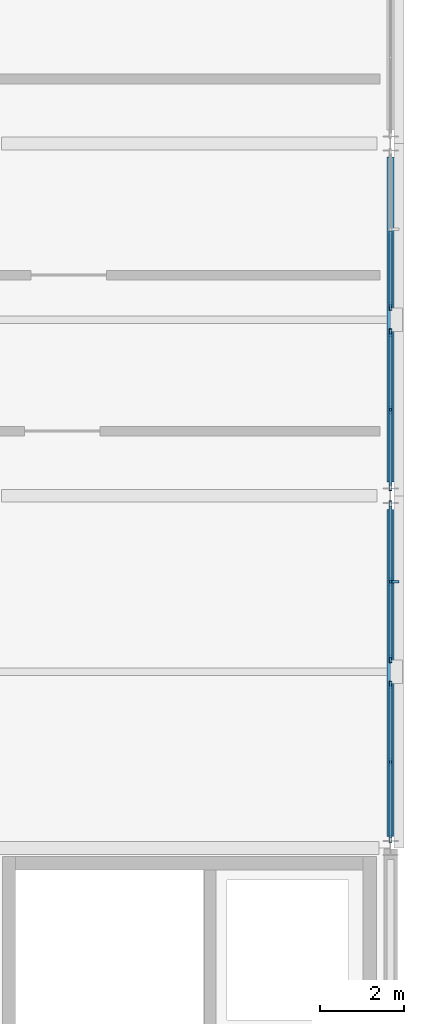
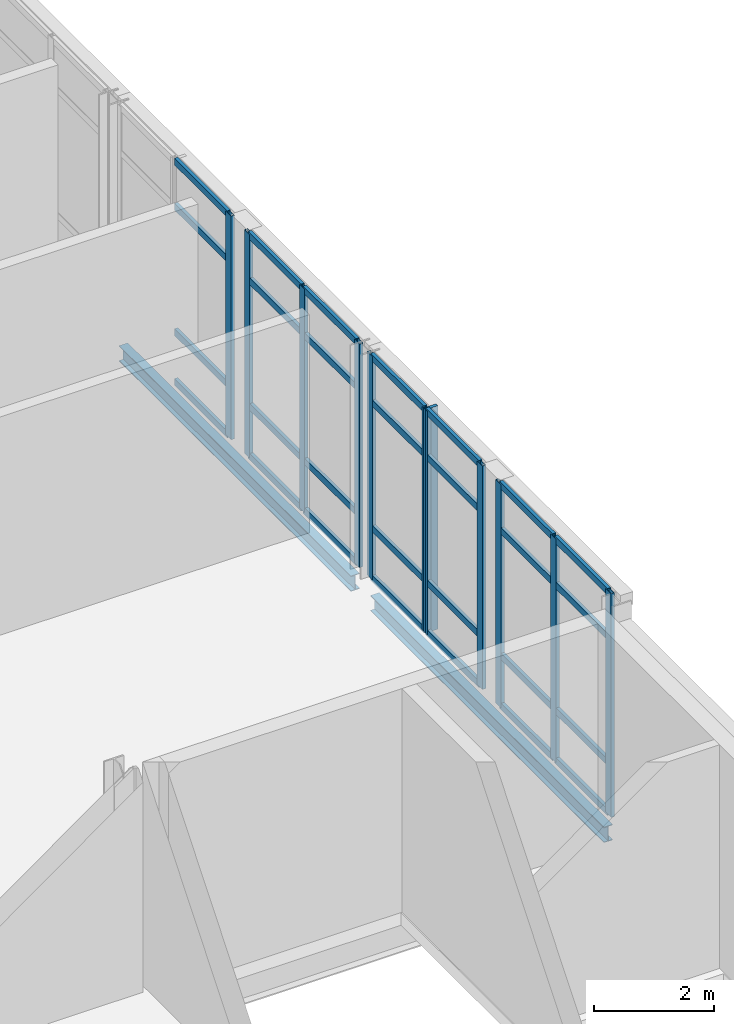
# One storey, part 26 of 52: 39 members, 2 beams, 4 elements without a shape of their own.
"""IFC4 building model written with IfcOpenShell, lengths in metres."""

from ifc_helpers import new_model, si_unit, direction, frame, origin, origin_2d, place, context, subcontext, project, spatial, rectangle, hollow_rectangle, i_section, extrude, material, layer, layer_set, material_profile, profile_set, type_object, element, aggregate, save


model = new_model("IFC4")

# Units and contexts
model_context = context("Model", 3, precision=1e-05, world=origin(), true_north=direction((0.0, 1.0)))
body_context = subcontext(model_context, "Body", "Model", "MODEL_VIEW")
ifc_project = project(units=[si_unit("LENGTHUNIT", "METRE"), si_unit("AREAUNIT", "SQUARE_METRE"), si_unit("VOLUMEUNIT", "CUBIC_METRE"), si_unit("PLANEANGLEUNIT", "RADIAN"), si_unit("MASSUNIT", "GRAM", prefix="KILO")], contexts=[model_context])

# Site, building, storey
site_placement = place(None, origin())
site = spatial("IfcSite", under=ifc_project, at=site_placement, CompositionType="ELEMENT")
building_placement = place(site_placement, origin())
building = spatial("IfcBuilding", under=site, at=building_placement, Name="Lornevale Opera House", CompositionType="ELEMENT")
storey_placement = place(building_placement, frame((0.0, 0.0, 15.0)))
storey = spatial("IfcBuildingStorey", under=building, at=storey_placement, Name="L04", CompositionType="ELEMENT", Elevation=15.0)

# Curtain wall, members
ifc_material_1 = material(Name="Anodized Oxide-Green Aluminium Framing", Category="aluminium")
ifc_layer = layer(ifc_material_1, 0.179931640625)
ifc_layer_set = layer_set([ifc_layer], Name="Anodized Oxide-Green Aluminium Framing")
curtain_wall_type = type_object("IfcCurtainWallType", Name="Promenade Gallery Curtain Wall M1800", PredefinedType="NOTDEFINED", material=ifc_layer_set)
curtain_wall_1_placement = place(storey_placement, origin())
curtain_wall_1 = element("IfcCurtainWall", 1, at=curtain_wall_1_placement, inside=storey, type_object=curtain_wall_type, Name="Promenade Gallery Curtain Wall M1800 CW-165", PredefinedType="NOTDEFINED")
ifc_material_profile_1 = material_profile(ifc_material_1, hollow_rectangle(XDim=0.06494140625, YDim=0.179931640625, WallThickness=0.0048828125, at=origin_2d()), Name="ALU65x180x5")
ifc_profile_set_1 = profile_set([ifc_material_profile_1], Name="Anodized Oxide-Green Aluminium Framing")
member_type_1 = type_object("IfcMemberType", Name="Curtain Wall Mullion 65x180", PredefinedType="MULLION", material=ifc_profile_set_1)
member_1_placement = place(storey_placement, frame((144.0, 50.1875, 0.0), z_axis=(0.0, 0.0, 1.0), x_axis=(1.0, 0.0, 0.0)))
member_1 = element("IfcMember", 2, at=member_1_placement, type_object=member_type_1, Name="Curtain Wall Mullion 65x180 CW3357", PredefinedType="MULLION", context=body_context, shape_type="SweptSolid", body=[
    extrude(hollow_rectangle(XDim=0.06494140625, YDim=0.179931640625, WallThickness=0.0048828125, at=origin_2d()), origin(), (0.0, 0.0, 1.0), 4.56005859375),
])
member_2_placement = place(storey_placement, frame((144.0, 48.35009765625, 0.0), z_axis=(0.0, 0.0, 1.0), x_axis=(1.0, 0.0, 0.0)))
member_2 = element("IfcMember", 3, at=member_2_placement, type_object=member_type_1, Name="Curtain Wall Mullion 65x180 CW3358", PredefinedType="MULLION", context=body_context, shape_type="SweptSolid", body=[
    extrude(hollow_rectangle(XDim=0.06494140625, YDim=0.179931640625, WallThickness=0.0048828125, at=origin_2d()), origin(), (0.0, 0.0, 1.0), 4.56005859375),
])
member_3_placement = place(storey_placement, frame((144.0, 46.512451171875, 0.0), z_axis=(0.0, 0.0, 1.0), x_axis=(1.0, 0.0, 0.0)))
member_3 = element("IfcMember", 4, at=member_3_placement, type_object=member_type_1, Name="Curtain Wall Mullion 65x180 CW3359", PredefinedType="MULLION", context=body_context, shape_type="SweptSolid", body=[
    extrude(hollow_rectangle(XDim=0.06494140625, YDim=0.179931640625, WallThickness=0.0048828125, at=origin_2d()), origin(), (0.0, 0.0, 1.0), 4.56005859375),
])

curtain_wall_2_placement = place(storey_placement, origin())
curtain_wall_2 = element("IfcCurtainWall", 5, at=curtain_wall_2_placement, inside=storey, type_object=curtain_wall_type, Name="Promenade Gallery Curtain Wall M1800 CW-166", PredefinedType="NOTDEFINED")
member_4_placement = place(storey_placement, frame((144.0, 45.887451171875, 0.0), z_axis=(0.0, 0.0, 1.0), x_axis=(1.0, 0.0, 0.0)))
member_4 = element("IfcMember", 6, at=member_4_placement, type_object=member_type_1, Name="Curtain Wall Mullion 65x180 CW3374", PredefinedType="MULLION", context=body_context, shape_type="SweptSolid", body=[
    extrude(hollow_rectangle(XDim=0.06494140625, YDim=0.179931640625, WallThickness=0.0048828125, at=origin_2d()), origin(), (0.0, 0.0, 1.0), 4.56005859375),
])
member_5_placement = place(storey_placement, frame((144.0, 44.050048828125, 0.0), z_axis=(0.0, 0.0, 1.0), x_axis=(1.0, 0.0, 0.0)))
member_5 = element("IfcMember", 7, at=member_5_placement, type_object=member_type_1, Name="Curtain Wall Mullion 65x180 CW3375", PredefinedType="MULLION", context=body_context, shape_type="SweptSolid", body=[
    extrude(hollow_rectangle(XDim=0.06494140625, YDim=0.179931640625, WallThickness=0.0048828125, at=origin_2d()), origin(), (0.0, 0.0, 1.0), 4.56005859375),
])
member_6_placement = place(storey_placement, frame((144.0, 42.21240234375, 0.0), z_axis=(0.0, 0.0, 1.0), x_axis=(1.0, 0.0, 0.0)))
member_6 = element("IfcMember", 8, at=member_6_placement, type_object=member_type_1, Name="Curtain Wall Mullion 65x180 CW3376", PredefinedType="MULLION", context=body_context, shape_type="SweptSolid", body=[
    extrude(hollow_rectangle(XDim=0.06494140625, YDim=0.179931640625, WallThickness=0.0048828125, at=origin_2d()), origin(), (0.0, 0.0, 1.0), 4.56005859375),
])

# Curtain wall, member
curtain_wall_3_placement = place(storey_placement, origin())
curtain_wall_3 = element("IfcCurtainWall", 9, at=curtain_wall_3_placement, inside=storey, type_object=curtain_wall_type, Name="Promenade Gallery Curtain Wall M1800 CW-167", PredefinedType="NOTDEFINED")
member_7_placement = place(storey_placement, frame((144.0, 54.91259765625, 0.0), z_axis=(0.0, 0.0, 1.0), x_axis=(1.0, 0.0, 0.0)))
member_7 = element("IfcMember", 10, at=member_7_placement, type_object=member_type_1, Name="Curtain Wall Mullion 65x180 CW3393", PredefinedType="MULLION", context=body_context, shape_type="SweptSolid", body=[
    extrude(hollow_rectangle(XDim=0.06494140625, YDim=0.179931640625, WallThickness=0.0048828125, at=origin_2d()), origin(), (0.0, 0.0, 1.0), 4.56005859375),
])

# Curtain wall, members
curtain_wall_4_placement = place(storey_placement, origin())
curtain_wall_4 = element("IfcCurtainWall", 11, at=curtain_wall_4_placement, inside=storey, type_object=curtain_wall_type, Name="Promenade Gallery Curtain Wall M1800 CW-168", PredefinedType="NOTDEFINED")
member_8_placement = place(storey_placement, frame((144.0, 54.28759765625, 0.0), z_axis=(0.0, 0.0, 1.0), x_axis=(1.0, 0.0, 0.0)))
member_8 = element("IfcMember", 12, at=member_8_placement, type_object=member_type_1, Name="Curtain Wall Mullion 65x180 CW3408", PredefinedType="MULLION", context=body_context, shape_type="SweptSolid", body=[
    extrude(hollow_rectangle(XDim=0.06494140625, YDim=0.179931640625, WallThickness=0.0048828125, at=origin_2d()), origin(), (0.0, 0.0, 1.0), 4.56005859375),
])
member_9_placement = place(storey_placement, frame((144.0, 52.449951171875, 0.0), z_axis=(0.0, 0.0, 1.0), x_axis=(1.0, 0.0, 0.0)))
member_9 = element("IfcMember", 13, at=member_9_placement, type_object=member_type_1, Name="Curtain Wall Mullion 65x180 CW3409", PredefinedType="MULLION", context=body_context, shape_type="SweptSolid", body=[
    extrude(hollow_rectangle(XDim=0.06494140625, YDim=0.179931640625, WallThickness=0.0048828125, at=origin_2d()), origin(), (0.0, 0.0, 1.0), 4.56005859375),
])
member_10_placement = place(storey_placement, frame((144.0, 50.612548828125, 0.0), z_axis=(0.0, 0.0, 1.0), x_axis=(1.0, 0.0, 0.0)))
member_10 = element("IfcMember", 14, at=member_10_placement, type_object=member_type_1, Name="Curtain Wall Mullion 65x180 CW3410", PredefinedType="MULLION", context=body_context, shape_type="SweptSolid", body=[
    extrude(hollow_rectangle(XDim=0.06494140625, YDim=0.179931640625, WallThickness=0.0048828125, at=origin_2d()), origin(), (0.0, 0.0, 1.0), 4.56005859375),
])

# Member
ifc_material_profile_2 = material_profile(ifc_material_1, hollow_rectangle(XDim=0.06494140625, YDim=0.135009765625, WallThickness=0.00390625, at=origin_2d()), Name="ALU65x135x4")
ifc_profile_set_2 = profile_set([ifc_material_profile_2], Name="Anodized Oxide-Green Aluminium Framing")
member_type_2 = type_object("IfcMemberType", Name="Curtain Wall Transom 65x135", PredefinedType="USERDEFINED", material=ifc_profile_set_2)
member_11_placement = place(storey_placement, frame((144.0, 50.155029296875, 0.032470703125), z_axis=(0.0, -1.0, 0.0), x_axis=(1.0, 0.0, 0.0)))
member_11 = element("IfcMember", 15, at=member_11_placement, type_object=member_type_2, Name="Curtain Wall Transom 65x135 CW3360", ObjectType="TRANSOM", PredefinedType="USERDEFINED", context=body_context, shape_type="SweptSolid", body=[
    extrude(hollow_rectangle(XDim=0.06494140625, YDim=0.135009765625, WallThickness=0.00390625, at=origin_2d()), origin(), (0.0, 0.0, 1.0), 1.7724609375),
])

member_12_placement = place(storey_placement, frame((144.0, 50.155029296875, 1.050048828125), z_axis=(0.0, -1.0, 0.0), x_axis=(1.0, 0.0, 0.0)))
member_12 = element("IfcMember", 16, at=member_12_placement, type_object=member_type_2, Name="Curtain Wall Transom 65x135 CW3361", ObjectType="TRANSOM", PredefinedType="USERDEFINED", context=body_context, shape_type="SweptSolid", body=[
    extrude(hollow_rectangle(XDim=0.06494140625, YDim=0.135009765625, WallThickness=0.00390625, at=origin_2d()), origin(), (0.0, 0.0, 1.0), 1.7724609375),
])

member_13_placement = place(storey_placement, frame((144.0, 50.155029296875, 3.610107421875), z_axis=(0.0, -1.0, 0.0), x_axis=(1.0, 0.0, 0.0)))
member_13 = element("IfcMember", 17, at=member_13_placement, type_object=member_type_2, Name="Curtain Wall Transom 65x135 CW3362", ObjectType="TRANSOM", PredefinedType="USERDEFINED", context=body_context, shape_type="SweptSolid", body=[
    extrude(hollow_rectangle(XDim=0.06494140625, YDim=0.135009765625, WallThickness=0.00390625, at=origin_2d()), origin(), (0.0, 0.0, 1.0), 1.7724609375),
])

member_14_placement = place(storey_placement, frame((144.0, 50.155029296875, 4.527587890625), z_axis=(0.0, -1.0, 0.0), x_axis=(1.0, 0.0, 0.0)))
member_14 = element("IfcMember", 18, at=member_14_placement, type_object=member_type_2, Name="Curtain Wall Transom 65x135 CW3363", ObjectType="TRANSOM", PredefinedType="USERDEFINED", context=body_context, shape_type="SweptSolid", body=[
    extrude(hollow_rectangle(XDim=0.06494140625, YDim=0.135009765625, WallThickness=0.00390625, at=origin_2d()), origin(), (0.0, 0.0, 1.0), 1.7724609375),
])

member_15_placement = place(storey_placement, frame((144.0, 48.3173828125, 0.032470703125), z_axis=(0.0, -1.0, 0.0), x_axis=(1.0, 0.0, 0.0)))
member_15 = element("IfcMember", 19, at=member_15_placement, type_object=member_type_2, Name="Curtain Wall Transom 65x135 CW3367", ObjectType="TRANSOM", PredefinedType="USERDEFINED", context=body_context, shape_type="SweptSolid", body=[
    extrude(hollow_rectangle(XDim=0.06494140625, YDim=0.135009765625, WallThickness=0.00390625, at=origin_2d()), origin(), (0.0, 0.0, 1.0), 1.7724609375),
])

member_16_placement = place(storey_placement, frame((144.0, 48.3173828125, 1.050048828125), z_axis=(0.0, -1.0, 0.0), x_axis=(1.0, 0.0, 0.0)))
member_16 = element("IfcMember", 20, at=member_16_placement, type_object=member_type_2, Name="Curtain Wall Transom 65x135 CW3368", ObjectType="TRANSOM", PredefinedType="USERDEFINED", context=body_context, shape_type="SweptSolid", body=[
    extrude(hollow_rectangle(XDim=0.06494140625, YDim=0.135009765625, WallThickness=0.00390625, at=origin_2d()), origin(), (0.0, 0.0, 1.0), 1.7724609375),
])

member_17_placement = place(storey_placement, frame((144.0, 48.3173828125, 3.610107421875), z_axis=(0.0, -1.0, 0.0), x_axis=(1.0, 0.0, 0.0)))
member_17 = element("IfcMember", 21, at=member_17_placement, type_object=member_type_2, Name="Curtain Wall Transom 65x135 CW3369", ObjectType="TRANSOM", PredefinedType="USERDEFINED", context=body_context, shape_type="SweptSolid", body=[
    extrude(hollow_rectangle(XDim=0.06494140625, YDim=0.135009765625, WallThickness=0.00390625, at=origin_2d()), origin(), (0.0, 0.0, 1.0), 1.7724609375),
])

member_18_placement = place(storey_placement, frame((144.0, 48.3173828125, 4.527587890625), z_axis=(0.0, -1.0, 0.0), x_axis=(1.0, 0.0, 0.0)))
member_18 = element("IfcMember", 22, at=member_18_placement, type_object=member_type_2, Name="Curtain Wall Transom 65x135 CW3370", ObjectType="TRANSOM", PredefinedType="USERDEFINED", context=body_context, shape_type="SweptSolid", body=[
    extrude(hollow_rectangle(XDim=0.06494140625, YDim=0.135009765625, WallThickness=0.00390625, at=origin_2d()), origin(), (0.0, 0.0, 1.0), 1.7724609375),
])

member_19_placement = place(storey_placement, frame((144.0, 45.85498046875, 0.032470703125), z_axis=(0.0, -1.0, 0.0), x_axis=(1.0, 0.0, 0.0)))
member_19 = element("IfcMember", 23, at=member_19_placement, type_object=member_type_2, Name="Curtain Wall Transom 65x135 CW3377", ObjectType="TRANSOM", PredefinedType="USERDEFINED", context=body_context, shape_type="SweptSolid", body=[
    extrude(hollow_rectangle(XDim=0.06494140625, YDim=0.135009765625, WallThickness=0.00390625, at=origin_2d()), origin(), (0.0, 0.0, 1.0), 1.7724609375),
])

member_20_placement = place(storey_placement, frame((144.0, 45.85498046875, 1.050048828125), z_axis=(0.0, -1.0, 0.0), x_axis=(1.0, 0.0, 0.0)))
member_20 = element("IfcMember", 24, at=member_20_placement, type_object=member_type_2, Name="Curtain Wall Transom 65x135 CW3378", ObjectType="TRANSOM", PredefinedType="USERDEFINED", context=body_context, shape_type="SweptSolid", body=[
    extrude(hollow_rectangle(XDim=0.06494140625, YDim=0.135009765625, WallThickness=0.00390625, at=origin_2d()), origin(), (0.0, 0.0, 1.0), 1.7724609375),
])

member_21_placement = place(storey_placement, frame((144.0, 45.85498046875, 3.610107421875), z_axis=(0.0, -1.0, 0.0), x_axis=(1.0, 0.0, 0.0)))
member_21 = element("IfcMember", 25, at=member_21_placement, type_object=member_type_2, Name="Curtain Wall Transom 65x135 CW3379", ObjectType="TRANSOM", PredefinedType="USERDEFINED", context=body_context, shape_type="SweptSolid", body=[
    extrude(hollow_rectangle(XDim=0.06494140625, YDim=0.135009765625, WallThickness=0.00390625, at=origin_2d()), origin(), (0.0, 0.0, 1.0), 1.7724609375),
])

member_22_placement = place(storey_placement, frame((144.0, 45.85498046875, 4.527587890625), z_axis=(0.0, -1.0, 0.0), x_axis=(1.0, 0.0, 0.0)))
member_22 = element("IfcMember", 26, at=member_22_placement, type_object=member_type_2, Name="Curtain Wall Transom 65x135 CW3380", ObjectType="TRANSOM", PredefinedType="USERDEFINED", context=body_context, shape_type="SweptSolid", body=[
    extrude(hollow_rectangle(XDim=0.06494140625, YDim=0.135009765625, WallThickness=0.00390625, at=origin_2d()), origin(), (0.0, 0.0, 1.0), 1.7724609375),
])

member_23_placement = place(storey_placement, frame((144.0, 44.017578125, 0.032470703125), z_axis=(0.0, -1.0, 0.0), x_axis=(1.0, 0.0, 0.0)))
member_23 = element("IfcMember", 27, at=member_23_placement, type_object=member_type_2, Name="Curtain Wall Transom 65x135 CW3384", ObjectType="TRANSOM", PredefinedType="USERDEFINED", context=body_context, shape_type="SweptSolid", body=[
    extrude(hollow_rectangle(XDim=0.06494140625, YDim=0.135009765625, WallThickness=0.00390625, at=origin_2d()), origin(), (0.0, 0.0, 1.0), 1.7724609375),
])

member_24_placement = place(storey_placement, frame((144.0, 44.017578125, 1.050048828125), z_axis=(0.0, -1.0, 0.0), x_axis=(1.0, 0.0, 0.0)))
member_24 = element("IfcMember", 28, at=member_24_placement, type_object=member_type_2, Name="Curtain Wall Transom 65x135 CW3385", ObjectType="TRANSOM", PredefinedType="USERDEFINED", context=body_context, shape_type="SweptSolid", body=[
    extrude(hollow_rectangle(XDim=0.06494140625, YDim=0.135009765625, WallThickness=0.00390625, at=origin_2d()), origin(), (0.0, 0.0, 1.0), 1.7724609375),
])

member_25_placement = place(storey_placement, frame((144.0, 44.017578125, 3.610107421875), z_axis=(0.0, -1.0, 0.0), x_axis=(1.0, 0.0, 0.0)))
member_25 = element("IfcMember", 29, at=member_25_placement, type_object=member_type_2, Name="Curtain Wall Transom 65x135 CW3386", ObjectType="TRANSOM", PredefinedType="USERDEFINED", context=body_context, shape_type="SweptSolid", body=[
    extrude(hollow_rectangle(XDim=0.06494140625, YDim=0.135009765625, WallThickness=0.00390625, at=origin_2d()), origin(), (0.0, 0.0, 1.0), 1.7724609375),
])

member_26_placement = place(storey_placement, frame((144.0, 44.017578125, 4.527587890625), z_axis=(0.0, -1.0, 0.0), x_axis=(1.0, 0.0, 0.0)))
member_26 = element("IfcMember", 30, at=member_26_placement, type_object=member_type_2, Name="Curtain Wall Transom 65x135 CW3387", ObjectType="TRANSOM", PredefinedType="USERDEFINED", context=body_context, shape_type="SweptSolid", body=[
    extrude(hollow_rectangle(XDim=0.06494140625, YDim=0.135009765625, WallThickness=0.00390625, at=origin_2d()), origin(), (0.0, 0.0, 1.0), 1.7724609375),
])

aggregate(curtain_wall_2, [member_4, member_5, member_6, member_19, member_20, member_21, member_22, member_23, member_24, member_25, member_26])

member_27_placement = place(storey_placement, frame((144.0, 56.717529296875, 0.032470703125), z_axis=(0.0, -1.0, 0.0), x_axis=(1.0, 0.0, 0.0)))
member_27 = element("IfcMember", 31, at=member_27_placement, type_object=member_type_2, Name="Curtain Wall Transom 65x135 CW3401", ObjectType="TRANSOM", PredefinedType="USERDEFINED", context=body_context, shape_type="SweptSolid", body=[
    extrude(hollow_rectangle(XDim=0.06494140625, YDim=0.135009765625, WallThickness=0.00390625, at=origin_2d()), origin(), (0.0, 0.0, 1.0), 1.7724609375),
])

member_28_placement = place(storey_placement, frame((144.0, 56.717529296875, 1.050048828125), z_axis=(0.0, -1.0, 0.0), x_axis=(1.0, 0.0, 0.0)))
member_28 = element("IfcMember", 32, at=member_28_placement, type_object=member_type_2, Name="Curtain Wall Transom 65x135 CW3402", ObjectType="TRANSOM", PredefinedType="USERDEFINED", context=body_context, shape_type="SweptSolid", body=[
    extrude(hollow_rectangle(XDim=0.06494140625, YDim=0.135009765625, WallThickness=0.00390625, at=origin_2d()), origin(), (0.0, 0.0, 1.0), 1.7724609375),
])

member_29_placement = place(storey_placement, frame((144.0, 56.717529296875, 3.610107421875), z_axis=(0.0, -1.0, 0.0), x_axis=(1.0, 0.0, 0.0)))
member_29 = element("IfcMember", 33, at=member_29_placement, type_object=member_type_2, Name="Curtain Wall Transom 65x135 CW3403", ObjectType="TRANSOM", PredefinedType="USERDEFINED", context=body_context, shape_type="SweptSolid", body=[
    extrude(hollow_rectangle(XDim=0.06494140625, YDim=0.135009765625, WallThickness=0.00390625, at=origin_2d()), origin(), (0.0, 0.0, 1.0), 1.7724609375),
])

member_30_placement = place(storey_placement, frame((144.0, 56.717529296875, 4.527587890625), z_axis=(0.0, -1.0, 0.0), x_axis=(1.0, 0.0, 0.0)))
member_30 = element("IfcMember", 34, at=member_30_placement, type_object=member_type_2, Name="Curtain Wall Transom 65x135 CW3404", ObjectType="TRANSOM", PredefinedType="USERDEFINED", context=body_context, shape_type="SweptSolid", body=[
    extrude(hollow_rectangle(XDim=0.06494140625, YDim=0.135009765625, WallThickness=0.00390625, at=origin_2d()), origin(), (0.0, 0.0, 1.0), 1.7724609375),
])

aggregate(curtain_wall_3, [member_7, member_27, member_28, member_29, member_30])

member_31_placement = place(storey_placement, frame((144.0, 54.2548828125, 0.032470703125), z_axis=(0.0, -1.0, 0.0), x_axis=(1.0, 0.0, 0.0)))
member_31 = element("IfcMember", 35, at=member_31_placement, type_object=member_type_2, Name="Curtain Wall Transom 65x135 CW3411", ObjectType="TRANSOM", PredefinedType="USERDEFINED", context=body_context, shape_type="SweptSolid", body=[
    extrude(hollow_rectangle(XDim=0.06494140625, YDim=0.135009765625, WallThickness=0.00390625, at=origin_2d()), origin(), (0.0, 0.0, 1.0), 1.7724609375),
])

member_32_placement = place(storey_placement, frame((144.0, 54.2548828125, 1.050048828125), z_axis=(0.0, -1.0, 0.0), x_axis=(1.0, 0.0, 0.0)))
member_32 = element("IfcMember", 36, at=member_32_placement, type_object=member_type_2, Name="Curtain Wall Transom 65x135 CW3412", ObjectType="TRANSOM", PredefinedType="USERDEFINED", context=body_context, shape_type="SweptSolid", body=[
    extrude(hollow_rectangle(XDim=0.06494140625, YDim=0.135009765625, WallThickness=0.00390625, at=origin_2d()), origin(), (0.0, 0.0, 1.0), 1.7724609375),
])

member_33_placement = place(storey_placement, frame((144.0, 54.2548828125, 3.610107421875), z_axis=(0.0, -1.0, 0.0), x_axis=(1.0, 0.0, 0.0)))
member_33 = element("IfcMember", 37, at=member_33_placement, type_object=member_type_2, Name="Curtain Wall Transom 65x135 CW3413", ObjectType="TRANSOM", PredefinedType="USERDEFINED", context=body_context, shape_type="SweptSolid", body=[
    extrude(hollow_rectangle(XDim=0.06494140625, YDim=0.135009765625, WallThickness=0.00390625, at=origin_2d()), origin(), (0.0, 0.0, 1.0), 1.7724609375),
])

member_34_placement = place(storey_placement, frame((144.0, 54.2548828125, 4.527587890625), z_axis=(0.0, -1.0, 0.0), x_axis=(1.0, 0.0, 0.0)))
member_34 = element("IfcMember", 38, at=member_34_placement, type_object=member_type_2, Name="Curtain Wall Transom 65x135 CW3414", ObjectType="TRANSOM", PredefinedType="USERDEFINED", context=body_context, shape_type="SweptSolid", body=[
    extrude(hollow_rectangle(XDim=0.06494140625, YDim=0.135009765625, WallThickness=0.00390625, at=origin_2d()), origin(), (0.0, 0.0, 1.0), 1.7724609375),
])

member_35_placement = place(storey_placement, frame((144.0, 52.41748046875, 0.032470703125), z_axis=(0.0, -1.0, 0.0), x_axis=(1.0, 0.0, 0.0)))
member_35 = element("IfcMember", 39, at=member_35_placement, type_object=member_type_2, Name="Curtain Wall Transom 65x135 CW3418", ObjectType="TRANSOM", PredefinedType="USERDEFINED", context=body_context, shape_type="SweptSolid", body=[
    extrude(hollow_rectangle(XDim=0.06494140625, YDim=0.135009765625, WallThickness=0.00390625, at=origin_2d()), origin(), (0.0, 0.0, 1.0), 1.7724609375),
])

member_36_placement = place(storey_placement, frame((144.0, 52.41748046875, 1.050048828125), z_axis=(0.0, -1.0, 0.0), x_axis=(1.0, 0.0, 0.0)))
member_36 = element("IfcMember", 40, at=member_36_placement, type_object=member_type_2, Name="Curtain Wall Transom 65x135 CW3419", ObjectType="TRANSOM", PredefinedType="USERDEFINED", context=body_context, shape_type="SweptSolid", body=[
    extrude(hollow_rectangle(XDim=0.06494140625, YDim=0.135009765625, WallThickness=0.00390625, at=origin_2d()), origin(), (0.0, 0.0, 1.0), 1.7724609375),
])

member_37_placement = place(storey_placement, frame((144.0, 52.41748046875, 3.610107421875), z_axis=(0.0, -1.0, 0.0), x_axis=(1.0, 0.0, 0.0)))
member_37 = element("IfcMember", 41, at=member_37_placement, type_object=member_type_2, Name="Curtain Wall Transom 65x135 CW3420", ObjectType="TRANSOM", PredefinedType="USERDEFINED", context=body_context, shape_type="SweptSolid", body=[
    extrude(hollow_rectangle(XDim=0.06494140625, YDim=0.135009765625, WallThickness=0.00390625, at=origin_2d()), origin(), (0.0, 0.0, 1.0), 1.7724609375),
])

member_38_placement = place(storey_placement, frame((144.0, 52.41748046875, 4.527587890625), z_axis=(0.0, -1.0, 0.0), x_axis=(1.0, 0.0, 0.0)))
member_38 = element("IfcMember", 42, at=member_38_placement, type_object=member_type_2, Name="Curtain Wall Transom 65x135 CW3421", ObjectType="TRANSOM", PredefinedType="USERDEFINED", context=body_context, shape_type="SweptSolid", body=[
    extrude(hollow_rectangle(XDim=0.06494140625, YDim=0.135009765625, WallThickness=0.00390625, at=origin_2d()), origin(), (0.0, 0.0, 1.0), 1.7724609375),
])

aggregate(curtain_wall_4, [member_8, member_9, member_10, member_31, member_32, member_33, member_34, member_35, member_36, member_37, member_38])

ifc_material_2 = material(Name="Architectural Bronze Solar Louvre Alloy", Category="metal")
ifc_material_profile_3 = material_profile(ifc_material_2, rectangle(XDim=0.06005859375, YDim=0.239990234375, at=origin_2d()), Name="FIN60x240")
ifc_profile_set_3 = profile_set([ifc_material_profile_3], Name="Architectural Bronze Solar Louvre Alloy")
member_type_3 = type_object("IfcMemberType", Name="Solar Shading Fin 60x240", PredefinedType="USERDEFINED", material=ifc_profile_set_3)
member_39_placement = place(storey_placement, frame((144.083984375, 48.35009765625, 0.0), z_axis=(0.0, 0.0, 1.0), x_axis=(0.0, -1.0, 0.0)))
member_39 = element("IfcMember", 43, at=member_39_placement, type_object=member_type_3, Name="Solar Shading Fin 60x240 FIN0068", ObjectType="SOLAR FIN", PredefinedType="USERDEFINED", context=body_context, shape_type="SweptSolid", body=[
    extrude(rectangle(XDim=0.06005859375, YDim=0.239990234375, at=origin_2d()), origin(), (0.0, 0.0, 1.0), 4.56005859375),
])

aggregate(curtain_wall_1, [member_1, member_2, member_3, member_11, member_12, member_13, member_14, member_15, member_16, member_17, member_18, member_39])

# Beams
ifc_material_3 = material(Name="Structural Steel CSA G40.21 Grade 350W (350 MPa)", Category="steel")
ifc_material_profile_4 = material_profile(ifc_material_3, i_section(OverallWidth=0.1669921875, OverallDepth=0.31689453125, WebThickness=0.007568359375, FlangeThickness=0.01318359375, at=origin_2d()), Name="W310x52")
ifc_profile_set_4 = profile_set([ifc_material_profile_4], Name="Structural Steel CSA G40.21 Grade 350W (350 MPa)")
beam_type = type_object("IfcBeamType", Name="Steel Spandrel Beam W310x52", PredefinedType="SPANDREL", material=ifc_profile_set_4)
beam_1_placement = place(storey_placement, frame((144.0, 42.27490234375, -0.43359375), z_axis=(0.0, 1.0, 0.0), x_axis=(-1.0, 0.0, 0.0)))
element("IfcBeam", 44, at=beam_1_placement, inside=storey, type_object=beam_type, Name="Steel Spandrel Beam W310x52 2649", PredefinedType="SPANDREL", context=body_context, shape_type="SweptSolid", body=[
    extrude(i_section(OverallWidth=0.1669921875, OverallDepth=0.31689453125, WebThickness=0.007568359375, FlangeThickness=0.01318359375, at=origin_2d()), origin(), (0.0, 0.0, 1.0), 7.800048828125),
])
beam_2_placement = place(storey_placement, frame((144.0, 50.72509765625, -0.43359375), z_axis=(0.0, 1.0, 0.0), x_axis=(-1.0, 0.0, 0.0)))
element("IfcBeam", 45, at=beam_2_placement, inside=storey, type_object=beam_type, Name="Steel Spandrel Beam W310x52 2650", PredefinedType="SPANDREL", context=body_context, shape_type="SweptSolid", body=[
    extrude(i_section(OverallWidth=0.1669921875, OverallDepth=0.31689453125, WebThickness=0.007568359375, FlangeThickness=0.01318359375, at=origin_2d()), origin(), (0.0, 0.0, 1.0), 7.75),
])

save(model, "model.ifc")
